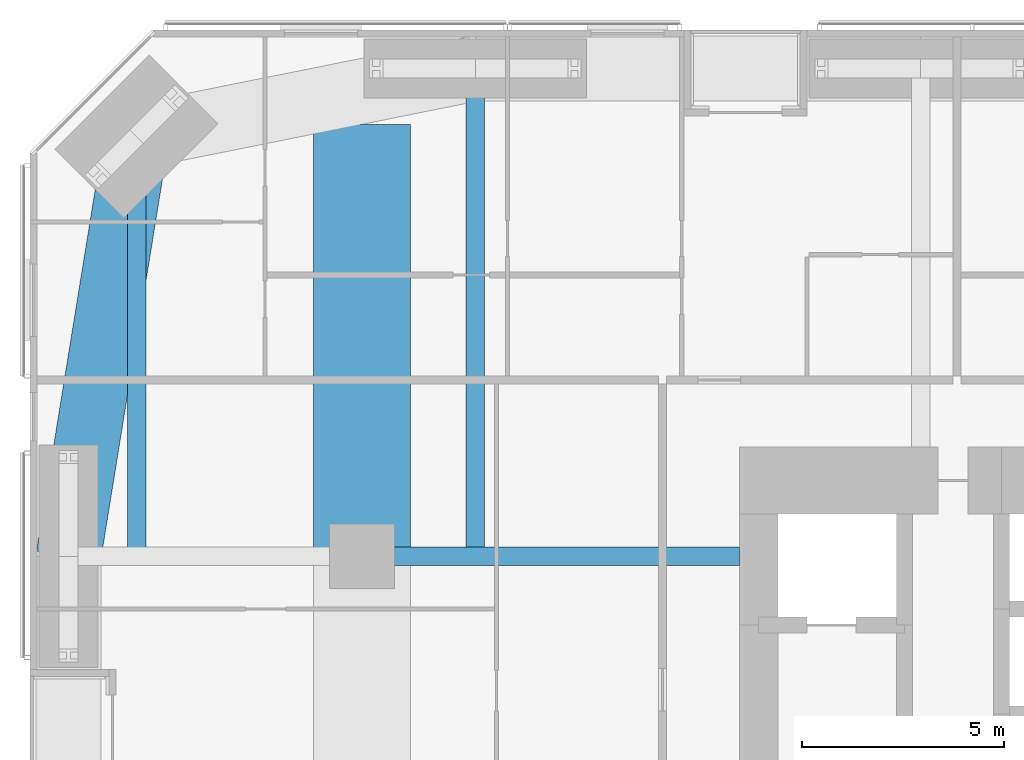
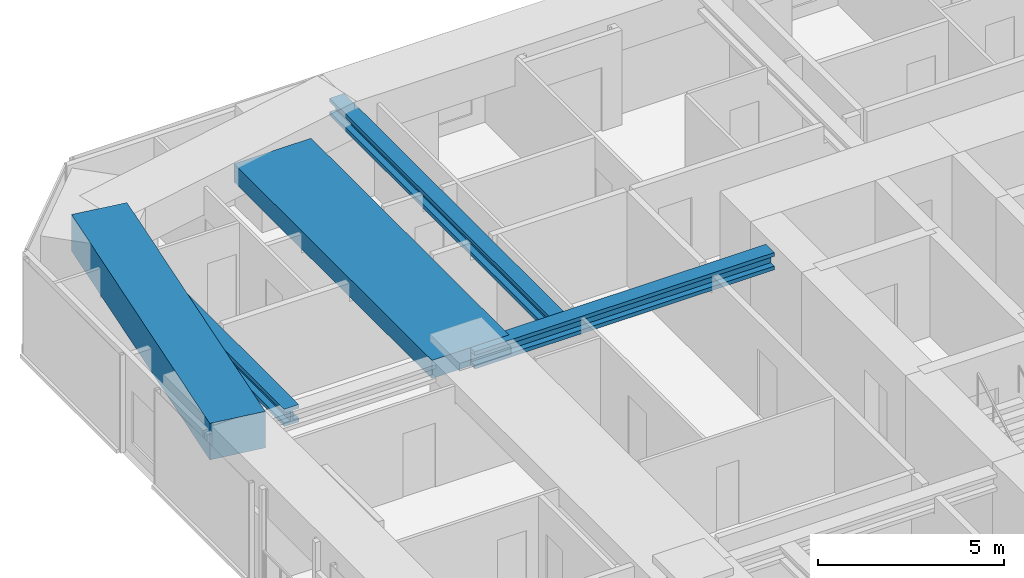
# One storey, part 6 of 22: 5 beams.
"""IFC4 building model written with IfcOpenShell, lengths in metres."""

from ifc_helpers import new_model, si_unit, direction, frame, origin, origin_2d, place, context, subcontext, project, spatial, rectangle, i_section, extrude, material, material_profile, profile_set, type_object, element, save


model = new_model("IFC4")

# Units and contexts
model_context = context("Model", 3, precision=1e-05, world=origin(), true_north=direction((0.0, 1.0)))
body_context = subcontext(model_context, "Body", "Model", "MODEL_VIEW")
ifc_project = project(units=[si_unit("LENGTHUNIT", "METRE"), si_unit("AREAUNIT", "SQUARE_METRE"), si_unit("VOLUMEUNIT", "CUBIC_METRE"), si_unit("PLANEANGLEUNIT", "RADIAN"), si_unit("MASSUNIT", "GRAM", prefix="KILO")], contexts=[model_context])

# Site, building, storey
site_placement = place(None, origin())
site = spatial("IfcSite", under=ifc_project, at=site_placement, CompositionType="ELEMENT")
building_placement = place(site_placement, origin())
building = spatial("IfcBuilding", under=site, at=building_placement, Name="Jalousie Tower", CompositionType="ELEMENT")
storey_placement = place(building_placement, frame((0.0, 0.0, 64.550048828125)))
storey = spatial("IfcBuildingStorey", under=building, at=storey_placement, Name="L17", CompositionType="ELEMENT", Elevation=64.550048828125)

# Beams
ifc_material_1 = material(Name="Steel ASTM A992 Grade 50", Category="steel")
ifc_material_profile_1 = material_profile(ifc_material_1, i_section(OverallWidth=0.45458984375, OverallDepth=0.569091796875, WebThickness=0.077880859375, FlangeThickness=0.124755859375, at=origin_2d()), Name="W14X730")
ifc_profile_set_1 = profile_set([ifc_material_profile_1], Name="Steel ASTM A992 Grade 50")
beam_type_1 = type_object("IfcBeamType", Name="LEAN COLLECTOR W14X730", PredefinedType="BEAM", material=ifc_profile_set_1)
beam_1_placement = place(storey_placement, frame((10.199951171875, 25.0, 2.825439453125), z_axis=(1.0, 0.0, 0.0), x_axis=(0.0, 1.0, 0.0)))
element("IfcBeam", 1, at=beam_1_placement, inside=storey, type_object=beam_type_1, Name="Lean collector under L18", PredefinedType="BEAM", context=body_context, shape_type="SweptSolid", body=[
    extrude(i_section(OverallWidth=0.45458984375, OverallDepth=0.569091796875, WebThickness=0.077880859375, FlangeThickness=0.124755859375, at=origin_2d()), origin(), (0.0, 0.0, 1.0), 9.324951171875),
])
beam_2_placement = place(storey_placement, frame((4.63134765625, 35.36865234375, 2.825439453125), z_axis=(0.0, -1.0, 0.0), x_axis=(1.0, 0.0, 0.0)))
element("IfcBeam", 2, at=beam_2_placement, inside=storey, type_object=beam_type_1, Name="Lean collector under L18", PredefinedType="BEAM", context=body_context, shape_type="SweptSolid", body=[
    extrude(i_section(OverallWidth=0.45458984375, OverallDepth=0.569091796875, WebThickness=0.077880859375, FlangeThickness=0.124755859375, at=origin_2d()), origin(), (0.0, 0.0, 1.0), 10.36865234375),
])
beam_3_placement = place(storey_placement, frame((13.0, 37.050048828125, 2.825439453125), z_axis=(0.0, -1.0, 0.0), x_axis=(1.0, 0.0, 0.0)))
element("IfcBeam", 3, at=beam_3_placement, inside=storey, type_object=beam_type_1, Name="Lean collector under L18", PredefinedType="BEAM", context=body_context, shape_type="SweptSolid", body=[
    extrude(i_section(OverallWidth=0.45458984375, OverallDepth=0.569091796875, WebThickness=0.077880859375, FlangeThickness=0.124755859375, at=origin_2d()), origin(), (0.0, 0.0, 1.0), 12.050048828125),
])
ifc_material_2 = material(Name="Concrete f'c 40 MPa", Category="concrete")
ifc_material_profile_2 = material_profile(ifc_material_2, rectangle(XDim=1.60009765625, YDim=1.199951171875, at=origin_2d()), Name="RC 1600x1200")
ifc_profile_set_2 = profile_set([ifc_material_profile_2], Name="Concrete f'c 40 MPa")
beam_type_2 = type_object("IfcBeamType", Name="RC BEAM 1600x1200", PredefinedType="BEAM", material=ifc_profile_set_2)
beam_4_placement = place(storey_placement, frame((4.63134765625, 35.36865234375, 2.75), z_axis=(-0.160070546476, -0.987105577003, 0.0), x_axis=(0.987105577003, -0.160070546476, 0.0)))
element("IfcBeam", 4, at=beam_4_placement, inside=storey, type_object=beam_type_2, Name="Edge band beam 12-13 under L18", PredefinedType="BEAM", context=body_context, shape_type="SweptSolid", body=[
    extrude(rectangle(XDim=1.60009765625, YDim=1.199951171875, at=origin_2d()), origin(), (0.0, 0.0, 1.0), 10.504150390625),
])
ifc_material_3 = material(Name="Concrete f'c 40 MPa", Category="concrete")
ifc_material_profile_3 = material_profile(ifc_material_3, rectangle(XDim=2.39990234375, YDim=0.60009765625, at=origin_2d()), Name="RC 2400x600")
ifc_profile_set_3 = profile_set([ifc_material_profile_3], Name="Concrete f'c 40 MPa")
beam_type_3 = type_object("IfcBeamType", Name="RC BEAM 2400x600", PredefinedType="BEAM", material=ifc_profile_set_3)
beam_5_placement = place(storey_placement, frame((10.199951171875, 25.0, 2.81005859375), z_axis=(0.0, 1.0, 0.0), x_axis=(-1.0, 0.0, 0.0)))
element("IfcBeam", 5, at=beam_5_placement, inside=storey, type_object=beam_type_3, Name="Floor band beam under L18", PredefinedType="BEAM", context=body_context, shape_type="SweptSolid", body=[
    extrude(rectangle(XDim=2.39990234375, YDim=0.60009765625, at=origin_2d()), origin(), (0.0, 0.0, 1.0), 10.67138671875),
])

save(model, "model.ifc")
